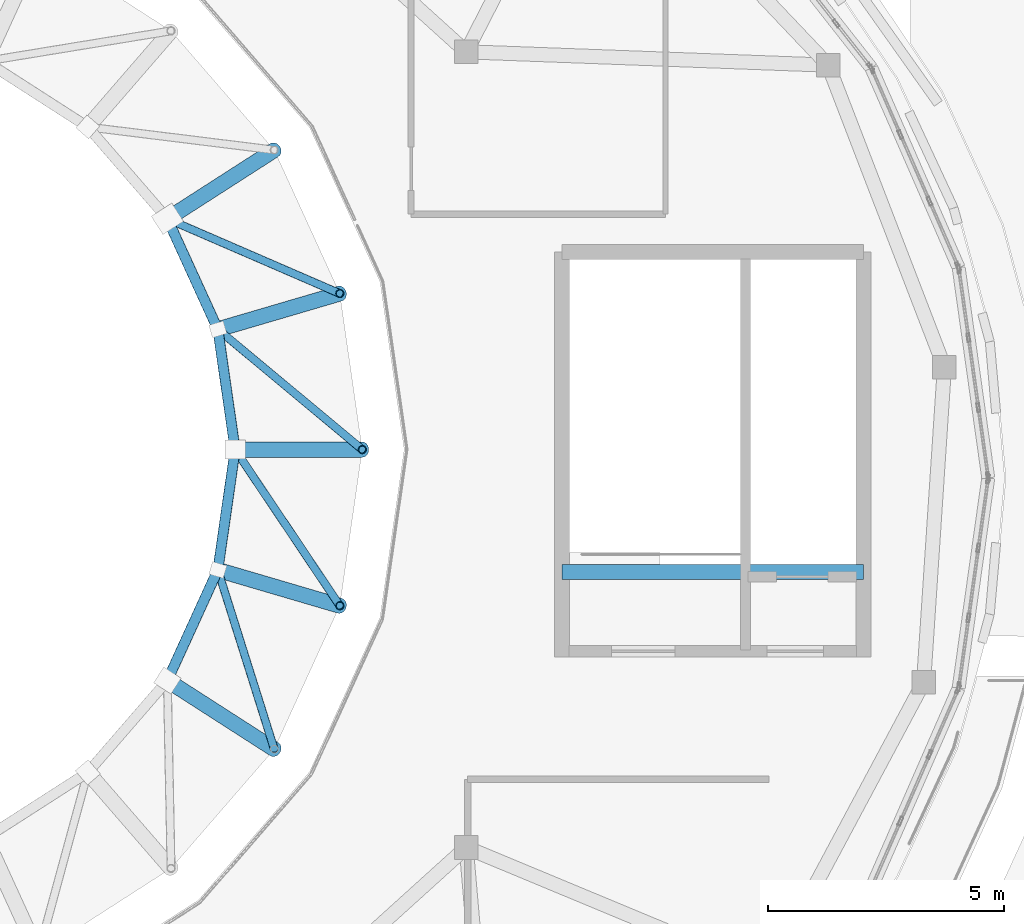
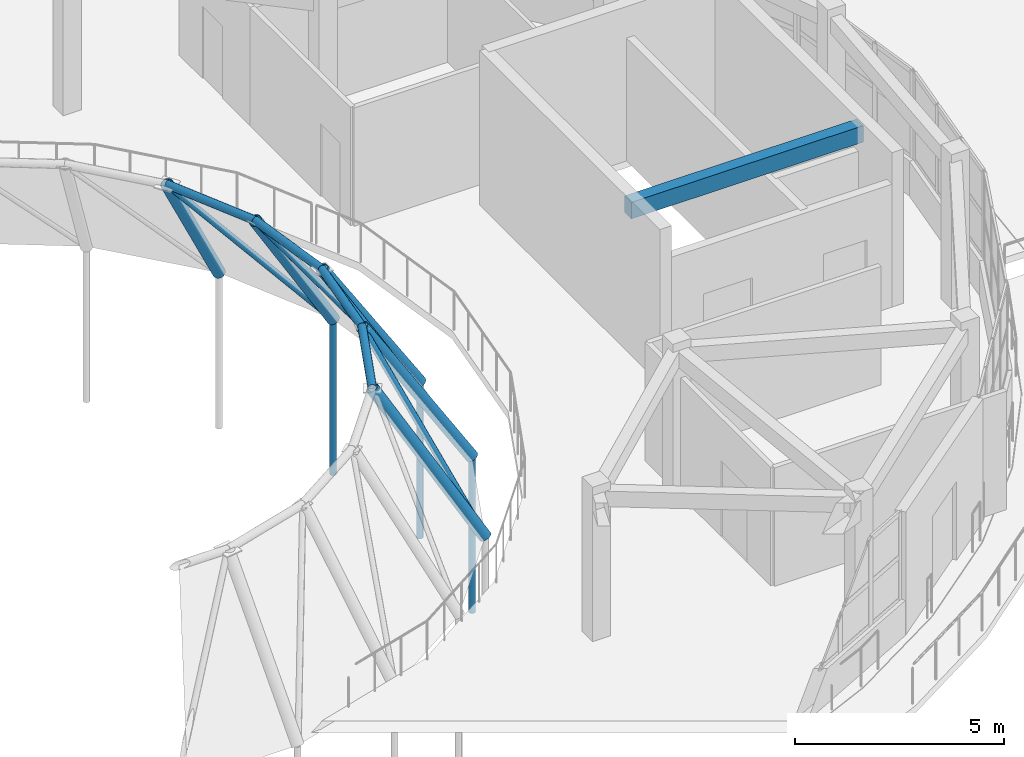
# One storey, part 17 of 38: 10 beams, 7 members.
"""IFC4 building model written with IfcOpenShell, lengths in metres."""

from ifc_helpers import new_model, si_unit, direction, frame, origin, origin_2d, place, context, subcontext, project, spatial, rectangle, hollow_circle, extrude, material, material_profile, profile_set, type_object, element, save


model = new_model("IFC4")

# Units and contexts
model_context = context("Model", 3, precision=1e-05, world=origin(), true_north=direction((0.0, 1.0)))
body_context = subcontext(model_context, "Body", "Model", "MODEL_VIEW")
ifc_project = project(units=[si_unit("LENGTHUNIT", "METRE"), si_unit("AREAUNIT", "SQUARE_METRE"), si_unit("VOLUMEUNIT", "CUBIC_METRE"), si_unit("PLANEANGLEUNIT", "RADIAN"), si_unit("MASSUNIT", "GRAM", prefix="KILO")], contexts=[model_context])

# Site, building, storey
site_placement = place(None, origin())
site = spatial("IfcSite", under=ifc_project, at=site_placement, CompositionType="ELEMENT")
building_placement = place(site_placement, origin())
building = spatial("IfcBuilding", under=site, at=building_placement, Name="Pelvatis Terrace Science Centre", CompositionType="ELEMENT")
storey_placement = place(building_placement, frame((0.0, 0.0, 24.300048828125)))
storey = spatial("IfcBuildingStorey", under=building, at=storey_placement, Name="L05", CompositionType="ELEMENT", Elevation=24.300048828125)

# Beams
ifc_material_1 = material(Name="Structural steel S355", Category="steel")
ifc_material_profile_1 = material_profile(ifc_material_1, hollow_circle(Radius=0.161865234375, WallThickness=0.012451171875, at=origin_2d()), Name="CHS 323.9x12.5")
ifc_profile_set_1 = profile_set([ifc_material_profile_1], Name="Structural steel S355")
beam_type_1 = type_object("IfcBeamType", Name="BM-DOME-CHS324", PredefinedType="BEAM", material=ifc_profile_set_1)
for number, where, z_axis, x_axis, name in (
    (1, (120.963134765625, 85.800048828125, -1.1845703125), (-0.537299903997, 0.0, 0.843391257463), (0.0, -1.0, 0.0), "Planetarium meridional dome rib 01.2"),
    (2, (120.486572265625, 89.114013671875, -1.1845703125), (-0.515531865267, -0.151369757782, 0.843394387178), (0.281725607409, -0.959495014125, 0.0), "Planetarium meridional dome rib 02.2"),
    (3, (119.095703125, 92.15966796875, -1.1845703125), (-0.451975959127, -0.290496966312, 0.843403370241), (0.540679878187, -0.841228428742, 0.0), "Planetarium meridional dome rib 03.2"),
    (4, (119.095703125, 79.4404296875, -1.1845703125), (-0.451975959127, 0.290496966312, 0.843403370241), (-0.540679878187, -0.841228428742, 0.0), "Planetarium meridional dome rib 21.2"),
    (5, (120.486572265625, 82.48583984375, -1.1845703125), (-0.515528072636, 0.15141723766, 0.843388182549), (-0.281808867545, -0.959470563474, 0.0), "Planetarium meridional dome rib 22.2"),
):
    element("IfcBeam", number, at=place(storey_placement, frame(where, z_axis=z_axis, x_axis=x_axis)), inside=storey, type_object=beam_type_1, Name=name, PredefinedType="BEAM", context=body_context, shape_type="SweptSolid", body=[
        extrude(hollow_circle(Radius=0.161865234375, WallThickness=0.012451171875, at=origin_2d()), origin(), (0.0, 0.0, 1.0), 5.024169921875),
    ])
ifc_material_2 = material(Name="Structural steel S355", Category="steel")
ifc_material_profile_2 = material_profile(ifc_material_2, hollow_circle(Radius=0.109619140625, WallThickness=0.008056640625, at=origin_2d()), Name="CHS 219.1x8.0")
ifc_profile_set_2 = profile_set([ifc_material_profile_2], Name="Structural steel S355")
beam_type_2 = type_object("IfcBeamType", Name="BM-HOOP-CHS219", PredefinedType="BEAM", material=ifc_profile_set_2)
for number, where, z_axis, x_axis, name in (
    (6, (118.263671875, 85.800048828125, 3.052734375), (-0.142335498671, 0.989818471144, 0.0), (-0.989818471144, -0.142335498671, 0.0), "Planetarium dome hoop ring 3.01"),
    (7, (117.896484375, 88.353515625, 3.052734375), (-0.415363853817, 0.909655357233, 0.0), (-0.909655357233, -0.415363853817, 0.0), "Planetarium dome hoop ring 3.02"),
    (8, (116.824951171875, 80.89990234375, 3.052734375), (0.415363853817, 0.909655357233, 0.0), (-0.909655357233, 0.415363853817, 0.0), "Planetarium dome hoop ring 3.21"),
    (9, (117.896484375, 83.24658203125, 3.052734375), (0.142335498671, 0.989818471144, 0.0), (-0.989818471144, 0.142335498671, 0.0), "Planetarium dome hoop ring 3.22"),
):
    element("IfcBeam", number, at=place(storey_placement, frame(where, z_axis=z_axis, x_axis=x_axis)), inside=storey, type_object=beam_type_2, Name=name, PredefinedType="BEAM", context=body_context, shape_type="SweptSolid", body=[
        extrude(hollow_circle(Radius=0.109619140625, WallThickness=0.008056640625, at=origin_2d()), origin(), (0.0, 0.0, 1.0), 2.579833984375),
    ])
ifc_material_3 = material(Name="Concrete C35/45", Category="concrete")
ifc_material_profile_3 = material_profile(ifc_material_3, rectangle(XDim=0.320068359375, YDim=0.47998046875, at=origin_2d()), Name="RC-BM 320x480")
ifc_profile_set_3 = profile_set([ifc_material_profile_3], Name="Concrete C35/45")
beam_type_3 = type_object("IfcBeamType", Name="BM-RC-320x480", PredefinedType="BEAM", material=ifc_profile_set_3)
beam_placement = place(storey_placement, frame((125.199951171875, 83.199951171875, 4.0), z_axis=(1.0, 0.0, 0.0), x_axis=(0.0, 1.0, 0.0)))
element("IfcBeam", 10, at=beam_placement, inside=storey, type_object=beam_type_3, Name="Core C2 stair header beam (L05)", PredefinedType="BEAM", context=body_context, shape_type="SweptSolid", body=[
    extrude(rectangle(XDim=0.320068359375, YDim=0.47998046875, at=origin_2d()), origin(), (0.0, 0.0, 1.0), 6.400146484375),
])

# Members
ifc_material_4 = material(Name="Structural steel S355", Category="steel")
ifc_material_profile_4 = material_profile(ifc_material_4, hollow_circle(Radius=0.084228515625, WallThickness=0.00634765625, at=origin_2d()), Name="CHS 168.3x6.3")
ifc_profile_set_4 = profile_set([ifc_material_profile_4], Name="Structural steel S355")
member_type_1 = type_object("IfcMemberType", Name="MEM-BRC-CHS168", PredefinedType="BRACE", material=ifc_profile_set_4)
for number, where, z_axis, x_axis, name in (
    (11, (120.963134765625, 85.800048828125, -1.1845703125), (-0.526862305851, 0.438695395024, 0.72798520662), (-0.639877447629, -0.768476969086, 0.0), "Planetarium dome lateral brace 2.01"),
    (12, (120.486572265625, 89.114013671875, -1.1845703125), (-0.629090732259, 0.272516501366, 0.727996982871), (-0.397497548088, -0.917603236298, 0.0), "Planetarium dome lateral brace 2.02"),
    (13, (119.095703125, 79.4404296875, -1.1845703125), (-0.206029215917, 0.653907873807, 0.727981081321), (-0.953778482034, -0.300510577534, 0.0), "Planetarium dome lateral brace 2.21"),
    (14, (120.486572265625, 82.48583984375, -1.1845703125), (-0.381898703238, 0.569387687695, 0.727977363361), (-0.830494048386, -0.557027499856, 0.0), "Planetarium dome lateral brace 2.22"),
):
    element("IfcMember", number, at=place(storey_placement, frame(where, z_axis=z_axis, x_axis=x_axis)), inside=storey, type_object=member_type_1, Name=name, PredefinedType="BRACE", context=body_context, shape_type="SweptSolid", body=[
        extrude(hollow_circle(Radius=0.084228515625, WallThickness=0.00634765625, at=origin_2d()), origin(), (0.0, 0.0, 1.0), 5.820556640625),
    ])
ifc_material_5 = material(Name="Structural steel S355", Category="steel")
ifc_material_profile_5 = material_profile(ifc_material_5, hollow_circle(Radius=0.084228515625, WallThickness=0.00634765625, at=origin_2d()), Name="CHS 168.3x6.3")
ifc_profile_set_5 = profile_set([ifc_material_profile_5], Name="Structural steel S355")
member_type_2 = type_object("IfcMemberType", Name="MEM-STR-CHS168", PredefinedType="STRUT", material=ifc_profile_set_5)
for number, where, z_axis, x_axis, name in (
    (15, (120.963134765625, 85.800048828125, -5.699951171875), (0.0, 0.0, 1.0), (1.0, 0.0, 0.0), "Dome arch vertical web post 1.01"),
    (16, (120.486572265625, 89.114013671875, -5.699951171875), (0.0, 0.0, 1.0), (1.0, 0.0, 0.0), "Dome arch vertical web post 1.02"),
    (17, (120.486572265625, 82.48583984375, -5.699951171875), (0.0, 0.0, 1.0), (1.0, 0.0, 0.0), "Dome arch vertical web post 1.22"),
):
    element("IfcMember", number, at=place(storey_placement, frame(where, z_axis=z_axis, x_axis=x_axis)), inside=storey, type_object=member_type_2, Name=name, PredefinedType="STRUT", context=body_context, shape_type="SweptSolid", body=[
        extrude(hollow_circle(Radius=0.084228515625, WallThickness=0.00634765625, at=origin_2d()), origin(), (0.0, 0.0, 1.0), 4.515380859375),
    ])

save(model, "model.ifc")
